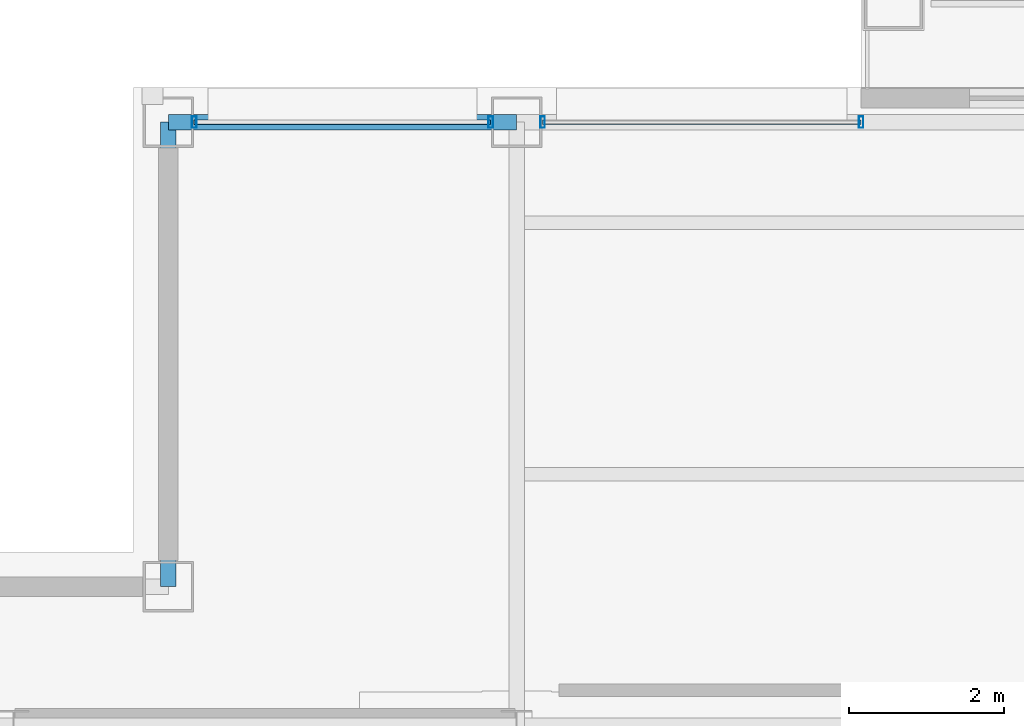
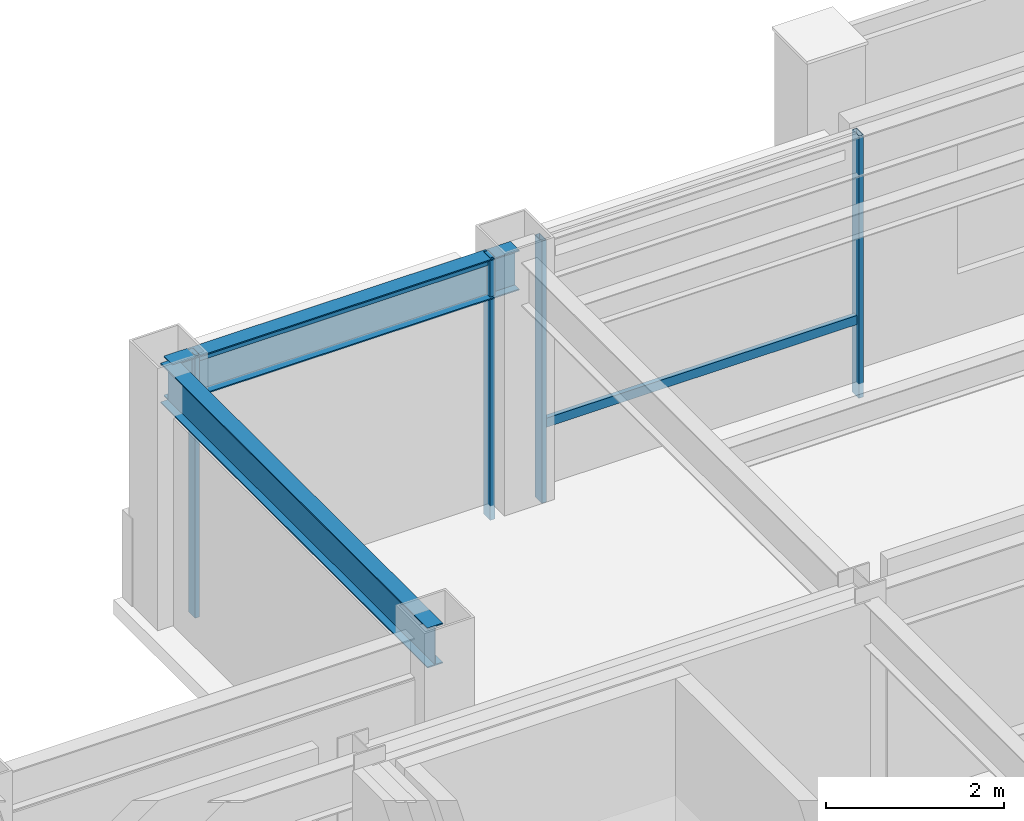
# One storey, part 14 of 24: 6 members, 2 beams, 2 elements without a shape of their own.
"""IFC4 building model written with IfcOpenShell, lengths in metres."""

from ifc_helpers import new_model, si_unit, direction, frame, origin, origin_2d, place, context, subcontext, project, spatial, hollow_rectangle, i_section, extrude, material, layer, layer_set, material_profile, profile_set, type_object, element, aggregate, save


model = new_model("IFC4")

# Units and contexts
model_context = context("Model", 3, precision=1e-05, world=origin(), true_north=direction((0.0, 1.0)))
body_context = subcontext(model_context, "Body", "Model", "MODEL_VIEW")
ifc_project = project(units=[si_unit("LENGTHUNIT", "METRE"), si_unit("AREAUNIT", "SQUARE_METRE"), si_unit("VOLUMEUNIT", "CUBIC_METRE"), si_unit("PLANEANGLEUNIT", "RADIAN"), si_unit("MASSUNIT", "GRAM", prefix="KILO")], contexts=[model_context])

# Site, building, storey
site_placement = place(None, origin())
site = spatial("IfcSite", under=ifc_project, at=site_placement, CompositionType="ELEMENT")
building_placement = place(site_placement, origin())
building = spatial("IfcBuilding", under=site, at=building_placement, Name="Brelmoor Portico Tower", CompositionType="ELEMENT")
storey_placement = place(building_placement, frame((0.0, 0.0, 232.800048828125)))
storey = spatial("IfcBuildingStorey", under=building, at=storey_placement, Name="L61", CompositionType="ELEMENT", Elevation=232.800048828125)

# Beams
ifc_material_1 = material(Name="Steel Q355B", Category="steel")
ifc_material_profile_1 = material_profile(ifc_material_1, i_section(OverallWidth=0.199951171875, OverallDepth=0.550048828125, WebThickness=0.010009765625, FlangeThickness=0.01611328125, at=origin_2d()), Name="HN 550x200x10x16")
ifc_profile_set_1 = profile_set([ifc_material_profile_1], Name="Steel Q355B")
beam_type = type_object("IfcBeamType", Name="BM-SP-550", PredefinedType="SPANDREL", material=ifc_profile_set_1)
beam_1_placement = place(storey_placement, frame((-12.550048828125, 17.550048828125, 3.125), z_axis=(1.0, 0.0, 0.0), x_axis=(0.0, 1.0, 0.0)))
element("IfcBeam", 1, at=beam_1_placement, inside=storey, type_object=beam_type, Name="L61 Perimeter Spandrel Beam SP-08", PredefinedType="SPANDREL", context=body_context, shape_type="SweptSolid", body=[
    extrude(i_section(OverallWidth=0.199951171875, OverallDepth=0.550048828125, WebThickness=0.010009765625, FlangeThickness=0.01611328125, at=origin_2d()), origin(), (0.0, 0.0, 1.0), 4.5),
])
beam_2_placement = place(storey_placement, frame((-12.550048828125, 11.550048828125, 3.125), z_axis=(0.0, 1.0, 0.0), x_axis=(-1.0, 0.0, 0.0)))
element("IfcBeam", 2, at=beam_2_placement, inside=storey, type_object=beam_type, Name="L61 Perimeter Spandrel Beam SP-15", PredefinedType="SPANDREL", context=body_context, shape_type="SweptSolid", body=[
    extrude(i_section(OverallWidth=0.199951171875, OverallDepth=0.550048828125, WebThickness=0.010009765625, FlangeThickness=0.01611328125, at=origin_2d()), origin(), (0.0, 0.0, 1.0), 6.0),
])

# Curtain wall, members
ifc_material_2 = material(Name="Anodised Aluminium Alloy 6063-T6", Category="aluminium")
ifc_layer_1 = layer(ifc_material_2, 0.179931640625)
ifc_layer_set_1 = layer_set([ifc_layer_1], Name="Anodised Aluminium Alloy 6063-T6")
curtain_wall_type_1 = type_object("IfcCurtainWallType", Name="CW-TOWER-Z4-XB", PredefinedType="NOTDEFINED", material=ifc_layer_set_1)
curtain_wall_1_placement = place(storey_placement, origin())
curtain_wall_1 = element("IfcCurtainWall", 3, at=curtain_wall_1_placement, inside=storey, type_object=curtain_wall_type_1, Name="L61 Curtain Wall CW-L61-2L-1", PredefinedType="NOTDEFINED")
ifc_material_profile_2 = material_profile(ifc_material_2, hollow_rectangle(XDim=0.06005859375, YDim=0.14990234375, WallThickness=0.00390625, at=origin_2d()), Name="ALU MULLION 60x150")
ifc_profile_set_2 = profile_set([ifc_material_profile_2], Name="Anodised Aluminium Alloy 6063-T6")
member_type_1 = type_object("IfcMemberType", Name="MB-CW-MULL-150", PredefinedType="MULLION", material=ifc_profile_set_2)
member_1_placement = place(storey_placement, frame((-12.215087890625, 17.550048828125, -0.199951171875), z_axis=(0.0, 0.0, 1.0), x_axis=(1.0, 0.0, 0.0)))
member_1 = element("IfcMember", 4, at=member_1_placement, type_object=member_type_1, Name="CW-L61-2L-1 Mullion 00", PredefinedType="MULLION", context=body_context, shape_type="SweptSolid", body=[
    extrude(hollow_rectangle(XDim=0.06005859375, YDim=0.14990234375, WallThickness=0.00390625, at=origin_2d()), origin(), (0.0, 0.0, 1.0), 3.599853515625),
])
member_2_placement = place(storey_placement, frame((-8.385009765625, 17.550048828125, -0.199951171875), z_axis=(0.0, 0.0, 1.0), x_axis=(1.0, 0.0, 0.0)))
member_2 = element("IfcMember", 5, at=member_2_placement, type_object=member_type_1, Name="CW-L61-2L-1 Mullion 01", PredefinedType="MULLION", context=body_context, shape_type="SweptSolid", body=[
    extrude(hollow_rectangle(XDim=0.06005859375, YDim=0.14990234375, WallThickness=0.00390625, at=origin_2d()), origin(), (0.0, 0.0, 1.0), 3.599853515625),
])

ifc_layer_2 = layer(ifc_material_2, 0.179931640625)
ifc_layer_set_2 = layer_set([ifc_layer_2], Name="Anodised Aluminium Alloy 6063-T6")
curtain_wall_type_2 = type_object("IfcCurtainWallType", Name="CW-TOWER-Z4", PredefinedType="NOTDEFINED", material=ifc_layer_set_2)
curtain_wall_2_placement = place(storey_placement, origin())
curtain_wall_2 = element("IfcCurtainWall", 6, at=curtain_wall_2_placement, inside=storey, type_object=curtain_wall_type_2, Name="L61 Curtain Wall CW-L61-2L-2", PredefinedType="NOTDEFINED")
member_3_placement = place(storey_placement, frame((-7.715087890625, 17.550048828125, -0.199951171875), z_axis=(0.0, 0.0, 1.0), x_axis=(1.0, 0.0, 0.0)))
member_3 = element("IfcMember", 7, at=member_3_placement, type_object=member_type_1, Name="CW-L61-2L-2 Mullion 00", PredefinedType="MULLION", context=body_context, shape_type="SweptSolid", body=[
    extrude(hollow_rectangle(XDim=0.06005859375, YDim=0.14990234375, WallThickness=0.00390625, at=origin_2d()), origin(), (0.0, 0.0, 1.0), 3.599853515625),
])
member_4_placement = place(storey_placement, frame((-3.60009765625, 17.550048828125, -0.199951171875), z_axis=(0.0, 0.0, 1.0), x_axis=(1.0, 0.0, 0.0)))
member_4 = element("IfcMember", 8, at=member_4_placement, type_object=member_type_1, Name="CW-L61-2L-2 Mullion 01", PredefinedType="MULLION", context=body_context, shape_type="SweptSolid", body=[
    extrude(hollow_rectangle(XDim=0.06005859375, YDim=0.14990234375, WallThickness=0.00390625, at=origin_2d()), origin(), (0.0, 0.0, 1.0), 3.599853515625),
])

# Member
ifc_material_profile_3 = material_profile(ifc_material_2, hollow_rectangle(XDim=0.06005859375, YDim=0.125, WallThickness=0.00341796875, at=origin_2d()), Name="ALU TRANSOM 60x125")
ifc_profile_set_3 = profile_set([ifc_material_profile_3], Name="Anodised Aluminium Alloy 6063-T6")
member_type_2 = type_object("IfcMemberType", Name="MB-CW-TRAN-125", PredefinedType="USERDEFINED", material=ifc_profile_set_3)
member_5_placement = place(storey_placement, frame((-12.215087890625, 17.550048828125, 3.33740234375), z_axis=(1.0, 0.0, 0.0), x_axis=(0.0, 1.0, 0.0)))
member_5 = element("IfcMember", 9, at=member_5_placement, type_object=member_type_2, Name="CW-L61-2L-1 Transom 1-00", ObjectType="TRANSOM", PredefinedType="USERDEFINED", context=body_context, shape_type="SweptSolid", body=[
    extrude(hollow_rectangle(XDim=0.06005859375, YDim=0.125, WallThickness=0.00341796875, at=origin_2d()), origin(), (0.0, 0.0, 1.0), 3.830078125),
])

aggregate(curtain_wall_1, [member_1, member_2, member_5])

member_6_placement = place(storey_placement, frame((-7.715087890625, 17.550048828125, 0.849853515625), z_axis=(1.0, 0.0, 0.0), x_axis=(0.0, 1.0, 0.0)))
member_6 = element("IfcMember", 10, at=member_6_placement, type_object=member_type_2, Name="CW-L61-2L-2 Transom 1-00", ObjectType="TRANSOM", PredefinedType="USERDEFINED", context=body_context, shape_type="SweptSolid", body=[
    extrude(hollow_rectangle(XDim=0.06005859375, YDim=0.125, WallThickness=0.00341796875, at=origin_2d()), origin(), (0.0, 0.0, 1.0), 4.114990234375),
])

aggregate(curtain_wall_2, [member_3, member_4, member_6])

save(model, "model.ifc")
